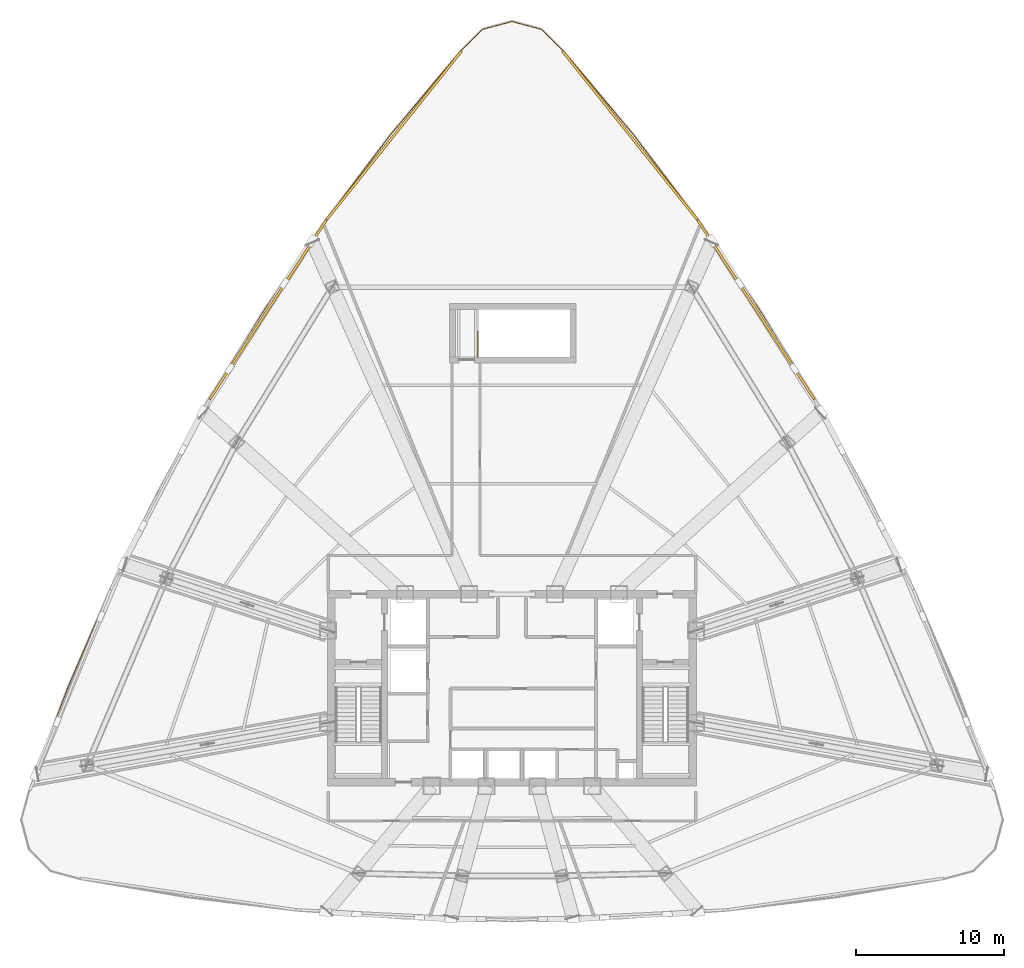
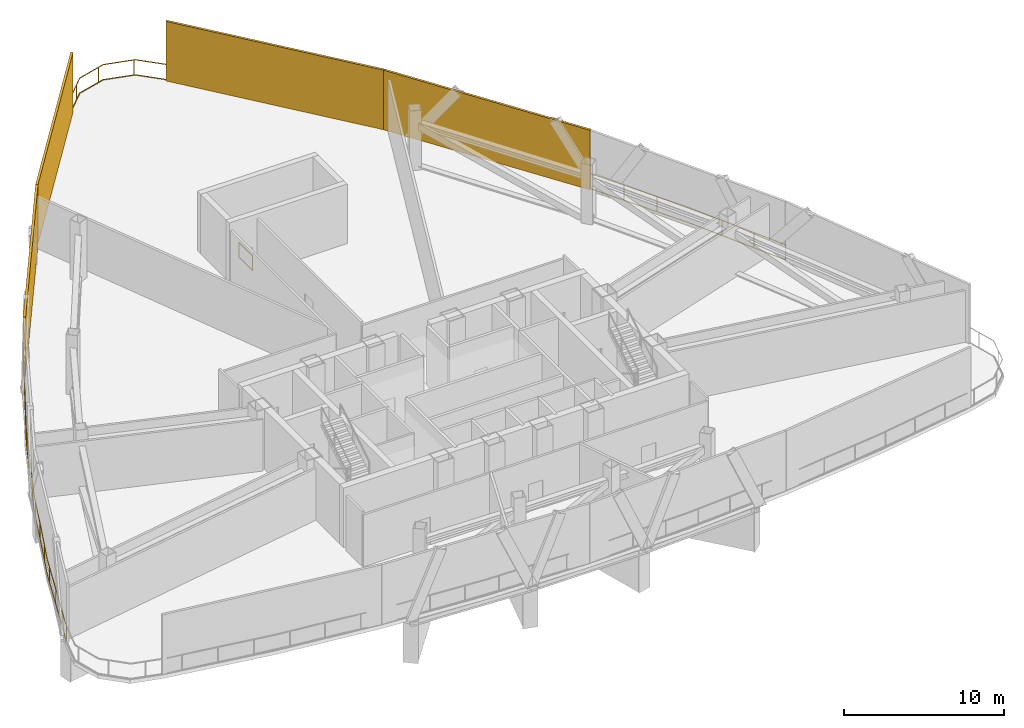
# One storey, part 13 of 13: 4 shading devices, 2 railings.
"""IFC4 building model written with IfcOpenShell, lengths in metres."""

from ifc_helpers import new_model, si_unit, direction, frame, origin, origin_2d, place, context, subcontext, project, spatial, rectangle, extrude, source, transform, mapped, material, layer, layer_set, type_object, element, save


model = new_model("IFC4")

# Units and contexts
model_context = context("Model", 3, precision=1e-05, world=origin(), true_north=direction((0.0, 1.0)))
body_context = subcontext(model_context, "Body", "Model", "MODEL_VIEW")
ifc_project = project(units=[si_unit("LENGTHUNIT", "METRE"), si_unit("AREAUNIT", "SQUARE_METRE"), si_unit("VOLUMEUNIT", "CUBIC_METRE"), si_unit("PLANEANGLEUNIT", "RADIAN"), si_unit("MASSUNIT", "GRAM", prefix="KILO"), si_unit("THERMODYNAMICTEMPERATUREUNIT", "KELVIN"), si_unit("POWERUNIT", "WATT")], contexts=[model_context])

# Site, building, storey
site_placement = place(None, origin())
site = spatial("IfcSite", under=ifc_project, at=site_placement, CompositionType="ELEMENT")
building_placement = place(site_placement, origin())
building = spatial("IfcBuilding", under=site, at=building_placement, Name="Yunzhuo Pagoda Commons", CompositionType="ELEMENT")
storey_placement = place(building_placement, frame((0.0, 0.0, 272.760009765625)))
storey = spatial("IfcBuildingStorey", under=building, at=storey_placement, Name="L68", CompositionType="ELEMENT", Elevation=272.760009765625)

# Railings
ifc_material = material(Name="Anodized aluminium 6063-T6", Category="aluminium")
railing_type_1 = type_object("IfcRailingType", Name="GR-ST3 North Well Guardrail 1155", PredefinedType="GUARDRAIL", material=ifc_material)
railing_1_placement = place(storey_placement, frame((45.699951171875, 56.199951171875, 0.0)))
element("IfcRailing", 1, at=railing_1_placement, inside=storey, type_object=railing_type_1, Name="L68 ST3 top well guard 1", PredefinedType="GUARDRAIL", context=body_context, shape_type="SweptSolid", body=[
    extrude(rectangle(XDim=0.048095703125, YDim=0.048095703125, at=origin_2d()), frame((0.0, 0.0, 1.1259765625), z_axis=(0.0, 1.0, 0.0), x_axis=(-1.0, 0.0, 0.0)), (0.0, 0.0, 1.0), 1.699951171875),
    extrude(rectangle(XDim=0.048095703125, YDim=0.048095703125, at=origin_2d()), frame((0.0, 0.0, 0.02392578125), z_axis=(0.0, 1.0, 0.0), x_axis=(-1.0, 0.0, 0.0)), (0.0, 0.0, 1.0), 1.699951171875),
    extrude(rectangle(XDim=0.0419921875, YDim=0.0419921875, at=origin_2d()), origin(), (0.0, 0.0, 1.0), 1.101806640625),
    extrude(rectangle(XDim=0.0419921875, YDim=0.0419921875, at=origin_2d()), frame((0.0, 1.699951171875, 0.0)), (0.0, 0.0, 1.0), 1.101806640625),
])
railing_type_2 = type_object("IfcRailingType", Name="RL-PRT1 Wind Portal & Refuge Guardrail 1200", PredefinedType="GUARDRAIL", material=ifc_material)
railing_2_placement = place(storey_placement, frame((75.08544921875, 40.5419921875, 0.0)))
element("IfcRailing", 2, at=railing_2_placement, inside=storey, type_object=railing_type_2, Name="L68 refuge perimeter guardrail B", PredefinedType="GUARDRAIL", context=body_context, shape_type="SweptSolid", body=[
    extrude(rectangle(XDim=0.048095703125, YDim=0.048095703125, at=origin_2d()), frame((0.0, 0.0, 1.17578125), z_axis=(-0.440536523339, 0.897734688872, 0.0), x_axis=(-0.897734688872, -0.440536523339, 0.0)), (0.0, 0.0, 1.0), 7.223876953125),
    extrude(rectangle(XDim=0.048095703125, YDim=0.048095703125, at=origin_2d()), frame((0.0, 0.0, 0.02392578125), z_axis=(-0.440536523339, 0.897734688872, 0.0), x_axis=(-0.897734688872, -0.440536523339, 0.0)), (0.0, 0.0, 1.0), 7.223876953125),
    extrude(rectangle(XDim=0.048095703125, YDim=0.048095703125, at=origin_2d()), frame((-3.182373046875, 6.485107421875, 1.17578125), z_axis=(-0.483266432387, 0.875473332162, 0.0), x_axis=(-0.875473332162, -0.483266432387, 0.0)), (0.0, 0.0, 1.0), 7.201416015625),
    extrude(rectangle(XDim=0.048095703125, YDim=0.048095703125, at=origin_2d()), frame((-3.182373046875, 6.485107421875, 0.02392578125), z_axis=(-0.483266432387, 0.875473332162, 0.0), x_axis=(-0.875473332162, -0.483266432387, 0.0)), (0.0, 0.0, 1.0), 7.201416015625),
    extrude(rectangle(XDim=0.048095703125, YDim=0.048095703125, at=origin_2d()), frame((-6.66259765625, 12.789794921875, 1.17578125), z_axis=(-0.524768754775, 0.851244826129, 0.0), x_axis=(-0.851244826129, -0.524768754775, 0.0)), (0.0, 0.0, 1.0), 7.201416015625),
    extrude(rectangle(XDim=0.048095703125, YDim=0.048095703125, at=origin_2d()), frame((-6.66259765625, 12.789794921875, 0.02392578125), z_axis=(-0.524768754775, 0.851244826129, 0.0), x_axis=(-0.851244826129, -0.524768754775, 0.0)), (0.0, 0.0, 1.0), 7.201416015625),
    extrude(rectangle(XDim=0.048095703125, YDim=0.048095703125, at=origin_2d()), frame((-10.441650390625, 18.919921875, 1.17578125), z_axis=(-0.565107914309, 0.825016996907, 0.0), x_axis=(-0.825016996907, -0.565107914309, 0.0)), (0.0, 0.0, 1.0), 7.223388671875),
    extrude(rectangle(XDim=0.048095703125, YDim=0.048095703125, at=origin_2d()), frame((-10.441650390625, 18.919921875, 0.02392578125), z_axis=(-0.565107914309, 0.825016996907, 0.0), x_axis=(-0.825016996907, -0.565107914309, 0.0)), (0.0, 0.0, 1.0), 7.223388671875),
    extrude(rectangle(XDim=0.048095703125, YDim=0.048095703125, at=origin_2d()), frame((-14.523681640625, 24.87939453125, 1.17578125), z_axis=(-0.60430924306, 0.796749859587, 0.0), x_axis=(-0.796749859587, -0.60430924306, 0.0)), (0.0, 0.0, 1.0), 7.264404296875),
    extrude(rectangle(XDim=0.048095703125, YDim=0.048095703125, at=origin_2d()), frame((-14.523681640625, 24.87939453125, 0.02392578125), z_axis=(-0.60430924306, 0.796749859587, 0.0), x_axis=(-0.796749859587, -0.60430924306, 0.0)), (0.0, 0.0, 1.0), 7.264404296875),
    extrude(rectangle(XDim=0.048095703125, YDim=0.048095703125, at=origin_2d()), frame((-18.91357421875, 30.667236328125, 1.17578125), z_axis=(-0.641868722298, 0.766814542987, 0.0), x_axis=(-0.766814542987, -0.641868722298, 0.0)), (0.0, 0.0, 1.0), 7.321533203125),
    extrude(rectangle(XDim=0.048095703125, YDim=0.048095703125, at=origin_2d()), frame((-18.91357421875, 30.667236328125, 0.02392578125), z_axis=(-0.641868722298, 0.766814542987, 0.0), x_axis=(-0.766814542987, -0.641868722298, 0.0)), (0.0, 0.0, 1.0), 7.321533203125),
    extrude(rectangle(XDim=0.048095703125, YDim=0.048095703125, at=origin_2d()), frame((-23.613037109375, 36.281494140625, 1.17578125), z_axis=(-0.708752575806, 0.705457147025, 0.0), x_axis=(-0.705457147025, -0.708752575806, 0.0)), (0.0, 0.0, 1.0), 2.074462890625),
    extrude(rectangle(XDim=0.048095703125, YDim=0.048095703125, at=origin_2d()), frame((-23.613037109375, 36.281494140625, 0.02392578125), z_axis=(-0.708752575806, 0.705457147025, 0.0), x_axis=(-0.705457147025, -0.708752575806, 0.0)), (0.0, 0.0, 1.0), 2.074462890625),
    extrude(rectangle(XDim=0.048095703125, YDim=0.048095703125, at=origin_2d()), frame((-25.083251953125, 37.744873046875, 1.17578125), z_axis=(-0.966056791128, 0.258329782093, 0.0), x_axis=(-0.258329782093, -0.966056791128, 0.0)), (0.0, 0.0, 1.0), 2.072509765625),
    extrude(rectangle(XDim=0.048095703125, YDim=0.048095703125, at=origin_2d()), frame((-25.083251953125, 37.744873046875, 0.02392578125), z_axis=(-0.966056791128, 0.258329782093, 0.0), x_axis=(-0.258329782093, -0.966056791128, 0.0)), (0.0, 0.0, 1.0), 2.072509765625),
    extrude(rectangle(XDim=0.048095703125, YDim=0.048095703125, at=origin_2d()), frame((-27.08544921875, 38.2802734375, 1.17578125), z_axis=(-0.966056791128, -0.258329782093, 0.0), x_axis=(0.258329782093, -0.966056791128, 0.0)), (0.0, 0.0, 1.0), 2.072509765625),
    extrude(rectangle(XDim=0.048095703125, YDim=0.048095703125, at=origin_2d()), frame((-27.08544921875, 38.2802734375, 0.02392578125), z_axis=(-0.966056791128, -0.258329782093, 0.0), x_axis=(0.258329782093, -0.966056791128, 0.0)), (0.0, 0.0, 1.0), 2.072509765625),
    extrude(rectangle(XDim=0.048095703125, YDim=0.048095703125, at=origin_2d()), frame((-29.087646484375, 37.744873046875, 1.17578125), z_axis=(-0.708752575806, -0.705457147025, 0.0), x_axis=(0.705457147025, -0.708752575806, 0.0)), (0.0, 0.0, 1.0), 2.074462890625),
    extrude(rectangle(XDim=0.048095703125, YDim=0.048095703125, at=origin_2d()), frame((-29.087646484375, 37.744873046875, 0.02392578125), z_axis=(-0.708752575806, -0.705457147025, 0.0), x_axis=(0.705457147025, -0.708752575806, 0.0)), (0.0, 0.0, 1.0), 2.074462890625),
    extrude(rectangle(XDim=0.048095703125, YDim=0.048095703125, at=origin_2d()), frame((-30.557861328125, 36.281494140625, 1.17578125), z_axis=(-0.641868722298, -0.766814542987, 0.0), x_axis=(0.766814542987, -0.641868722298, 0.0)), (0.0, 0.0, 1.0), 7.321533203125),
    extrude(rectangle(XDim=0.048095703125, YDim=0.048095703125, at=origin_2d()), frame((-30.557861328125, 36.281494140625, 0.02392578125), z_axis=(-0.641868722298, -0.766814542987, 0.0), x_axis=(0.766814542987, -0.641868722298, 0.0)), (0.0, 0.0, 1.0), 7.321533203125),
    extrude(rectangle(XDim=0.048095703125, YDim=0.048095703125, at=origin_2d()), frame((-35.25732421875, 30.667236328125, 1.17578125), z_axis=(-0.60430924306, -0.796749859587, 0.0), x_axis=(0.796749859587, -0.60430924306, 0.0)), (0.0, 0.0, 1.0), 7.264404296875),
    extrude(rectangle(XDim=0.048095703125, YDim=0.048095703125, at=origin_2d()), frame((-35.25732421875, 30.667236328125, 0.02392578125), z_axis=(-0.60430924306, -0.796749859587, 0.0), x_axis=(0.796749859587, -0.60430924306, 0.0)), (0.0, 0.0, 1.0), 7.264404296875),
    extrude(rectangle(XDim=0.048095703125, YDim=0.048095703125, at=origin_2d()), frame((-39.647216796875, 24.87939453125, 1.17578125), z_axis=(-0.565107914309, -0.825016996907, 0.0), x_axis=(0.825016996907, -0.565107914309, 0.0)), (0.0, 0.0, 1.0), 7.223388671875),
    extrude(rectangle(XDim=0.048095703125, YDim=0.048095703125, at=origin_2d()), frame((-39.647216796875, 24.87939453125, 0.02392578125), z_axis=(-0.565107914309, -0.825016996907, 0.0), x_axis=(0.825016996907, -0.565107914309, 0.0)), (0.0, 0.0, 1.0), 7.223388671875),
    extrude(rectangle(XDim=0.048095703125, YDim=0.048095703125, at=origin_2d()), frame((-43.729248046875, 18.919921875, 1.17578125), z_axis=(-0.524768754775, -0.851244826129, 0.0), x_axis=(0.851244826129, -0.524768754775, 0.0)), (0.0, 0.0, 1.0), 7.201416015625),
    extrude(rectangle(XDim=0.048095703125, YDim=0.048095703125, at=origin_2d()), frame((-43.729248046875, 18.919921875, 0.02392578125), z_axis=(-0.524768754775, -0.851244826129, 0.0), x_axis=(0.851244826129, -0.524768754775, 0.0)), (0.0, 0.0, 1.0), 7.201416015625),
    extrude(rectangle(XDim=0.048095703125, YDim=0.048095703125, at=origin_2d()), frame((-47.50830078125, 12.789794921875, 1.17578125), z_axis=(-0.483266432387, -0.875473332162, 0.0), x_axis=(0.875473332162, -0.483266432387, 0.0)), (0.0, 0.0, 1.0), 7.201416015625),
    extrude(rectangle(XDim=0.048095703125, YDim=0.048095703125, at=origin_2d()), frame((-47.50830078125, 12.789794921875, 0.02392578125), z_axis=(-0.483266432387, -0.875473332162, 0.0), x_axis=(0.875473332162, -0.483266432387, 0.0)), (0.0, 0.0, 1.0), 7.201416015625),
    extrude(rectangle(XDim=0.048095703125, YDim=0.048095703125, at=origin_2d()), frame((-50.988525390625, 6.485107421875, 1.17578125), z_axis=(-0.440536523339, -0.897734688872, 0.0), x_axis=(0.897734688872, -0.440536523339, 0.0)), (0.0, 0.0, 1.0), 7.223876953125),
    extrude(rectangle(XDim=0.048095703125, YDim=0.048095703125, at=origin_2d()), frame((-50.988525390625, 6.485107421875, 0.02392578125), z_axis=(-0.440536523339, -0.897734688872, 0.0), x_axis=(0.897734688872, -0.440536523339, 0.0)), (0.0, 0.0, 1.0), 7.223876953125),
    extrude(rectangle(XDim=0.048095703125, YDim=0.048095703125, at=origin_2d()), frame((-54.1708984375, 0.0, 1.17578125), z_axis=(-0.396647149188, -0.917971153709, 0.0), x_axis=(0.917971153709, -0.396647149188, 0.0)), (0.0, 0.0, 1.0), 7.264892578125),
    extrude(rectangle(XDim=0.048095703125, YDim=0.048095703125, at=origin_2d()), frame((-54.1708984375, 0.0, 0.02392578125), z_axis=(-0.396647149188, -0.917971153709, 0.0), x_axis=(0.917971153709, -0.396647149188, 0.0)), (0.0, 0.0, 1.0), 7.264892578125),
    extrude(rectangle(XDim=0.048095703125, YDim=0.048095703125, at=origin_2d()), frame((-57.052490234375, -6.6689453125, 1.17578125), z_axis=(-0.352076491564, -0.935971230374, 0.0), x_axis=(0.935971230374, -0.352076491564, 0.0)), (0.0, 0.0, 1.0), 7.241455078125),
    extrude(rectangle(XDim=0.048095703125, YDim=0.048095703125, at=origin_2d()), frame((-57.052490234375, -6.6689453125, 0.02392578125), z_axis=(-0.352076491564, -0.935971230374, 0.0), x_axis=(0.935971230374, -0.352076491564, 0.0)), (0.0, 0.0, 1.0), 7.241455078125),
    extrude(rectangle(XDim=0.0419921875, YDim=0.0419921875, at=origin_2d()), origin(), (0.0, 0.0, 1.0), 1.15185546875),
    extrude(rectangle(XDim=0.0419921875, YDim=0.0419921875, at=origin_2d()), frame((-1.057373046875, 2.154541015625, 0.0)), (0.0, 0.0, 1.0), 1.15185546875),
    extrude(rectangle(XDim=0.0419921875, YDim=0.0419921875, at=origin_2d()), frame((-2.114501953125, 4.30908203125, 0.0)), (0.0, 0.0, 1.0), 1.15185546875),
    extrude(rectangle(XDim=0.0419921875, YDim=0.0419921875, at=origin_2d()), frame((-4.33056640625, 8.5654296875, 0.0)), (0.0, 0.0, 1.0), 1.15185546875),
    extrude(rectangle(XDim=0.0419921875, YDim=0.0419921875, at=origin_2d()), frame((-5.490478515625, 10.66650390625, 0.0)), (0.0, 0.0, 1.0), 1.15185546875),
    extrude(rectangle(XDim=0.0419921875, YDim=0.0419921875, at=origin_2d()), frame((-7.90869140625, 14.811279296875, 0.0)), (0.0, 0.0, 1.0), 1.15185546875),
    extrude(rectangle(XDim=0.0419921875, YDim=0.0419921875, at=origin_2d()), frame((-9.168212890625, 16.854248046875, 0.0)), (0.0, 0.0, 1.0), 1.15185546875),
    extrude(rectangle(XDim=0.0419921875, YDim=0.0419921875, at=origin_2d()), frame((-11.78271484375, 20.8779296875, 0.0)), (0.0, 0.0, 1.0), 1.15185546875),
    extrude(rectangle(XDim=0.0419921875, YDim=0.0419921875, at=origin_2d()), frame((-13.13916015625, 22.85791015625, 0.0)), (0.0, 0.0, 1.0), 1.15185546875),
    extrude(rectangle(XDim=0.0419921875, YDim=0.0419921875, at=origin_2d()), frame((-15.943603515625, 26.751708984375, 0.0)), (0.0, 0.0, 1.0), 1.15185546875),
    extrude(rectangle(XDim=0.0419921875, YDim=0.0419921875, at=origin_2d()), frame((-17.39404296875, 28.663818359375, 0.0)), (0.0, 0.0, 1.0), 1.15185546875),
    extrude(rectangle(XDim=0.0419921875, YDim=0.0419921875, at=origin_2d()), frame((-20.380615234375, 32.419921875, 0.0)), (0.0, 0.0, 1.0), 1.15185546875),
    extrude(rectangle(XDim=0.0419921875, YDim=0.0419921875, at=origin_2d()), frame((-21.921142578125, 34.26025390625, 0.0)), (0.0, 0.0, 1.0), 1.15185546875),
    extrude(rectangle(XDim=0.0419921875, YDim=0.0419921875, at=origin_2d()), frame((-23.461669921875, 36.1005859375, 0.0)), (0.0, 0.0, 1.0), 1.15185546875),
    extrude(rectangle(XDim=0.0419921875, YDim=0.0419921875, at=origin_2d()), frame((-25.169921875, 37.76806640625, 0.0)), (0.0, 0.0, 1.0), 1.15185546875),
    extrude(rectangle(XDim=0.0419921875, YDim=0.0419921875, at=origin_2d()), frame((-27.48828125, 38.172607421875, 0.0)), (0.0, 0.0, 1.0), 1.15185546875),
    extrude(rectangle(XDim=0.0419921875, YDim=0.0419921875, at=origin_2d()), frame((-29.615234375, 37.2197265625, 0.0)), (0.0, 0.0, 1.0), 1.15185546875),
    extrude(rectangle(XDim=0.0419921875, YDim=0.0419921875, at=origin_2d()), frame((-31.244873046875, 35.4609375, 0.0)), (0.0, 0.0, 1.0), 1.15185546875),
    extrude(rectangle(XDim=0.0419921875, YDim=0.0419921875, at=origin_2d()), frame((-32.78515625, 33.62060546875, 0.0)), (0.0, 0.0, 1.0), 1.15185546875),
    extrude(rectangle(XDim=0.0419921875, YDim=0.0419921875, at=origin_2d()), frame((-34.32568359375, 31.7802734375, 0.0)), (0.0, 0.0, 1.0), 1.15185546875),
    extrude(rectangle(XDim=0.0419921875, YDim=0.0419921875, at=origin_2d()), frame((-35.83056640625, 29.911376953125, 0.0)), (0.0, 0.0, 1.0), 1.15185546875),
    extrude(rectangle(XDim=0.0419921875, YDim=0.0419921875, at=origin_2d()), frame((-37.281005859375, 27.999267578125, 0.0)), (0.0, 0.0, 1.0), 1.15185546875),
    extrude(rectangle(XDim=0.0419921875, YDim=0.0419921875, at=origin_2d()), frame((-38.731201171875, 26.0869140625, 0.0)), (0.0, 0.0, 1.0), 1.15185546875),
    extrude(rectangle(XDim=0.0419921875, YDim=0.0419921875, at=origin_2d()), frame((-40.14697265625, 24.14990234375, 0.0)), (0.0, 0.0, 1.0), 1.15185546875),
    extrude(rectangle(XDim=0.0419921875, YDim=0.0419921875, at=origin_2d()), frame((-41.503173828125, 22.169677734375, 0.0)), (0.0, 0.0, 1.0), 1.15185546875),
    extrude(rectangle(XDim=0.0419921875, YDim=0.0419921875, at=origin_2d()), frame((-42.859375, 20.189697265625, 0.0)), (0.0, 0.0, 1.0), 1.15185546875),
    extrude(rectangle(XDim=0.0419921875, YDim=0.0419921875, at=origin_2d()), frame((-44.180908203125, 18.18701171875, 0.0)), (0.0, 0.0, 1.0), 1.15185546875),
    extrude(rectangle(XDim=0.0419921875, YDim=0.0419921875, at=origin_2d()), frame((-45.4404296875, 16.14404296875, 0.0)), (0.0, 0.0, 1.0), 1.15185546875),
    extrude(rectangle(XDim=0.0419921875, YDim=0.0419921875, at=origin_2d()), frame((-46.699951171875, 14.10107421875, 0.0)), (0.0, 0.0, 1.0), 1.15185546875),
    extrude(rectangle(XDim=0.0419921875, YDim=0.0419921875, at=origin_2d()), frame((-47.923583984375, 12.037353515625, 0.0)), (0.0, 0.0, 1.0), 1.15185546875),
    extrude(rectangle(XDim=0.0419921875, YDim=0.0419921875, at=origin_2d()), frame((-49.08349609375, 9.936279296875, 0.0)), (0.0, 0.0, 1.0), 1.15185546875),
    extrude(rectangle(XDim=0.0419921875, YDim=0.0419921875, at=origin_2d()), frame((-50.243408203125, 7.8349609375, 0.0)), (0.0, 0.0, 1.0), 1.15185546875),
    extrude(rectangle(XDim=0.0419921875, YDim=0.0419921875, at=origin_2d()), frame((-51.366455078125, 5.71484375, 0.0)), (0.0, 0.0, 1.0), 1.15185546875),
    extrude(rectangle(XDim=0.0419921875, YDim=0.0419921875, at=origin_2d()), frame((-52.423828125, 3.560302734375, 0.0)), (0.0, 0.0, 1.0), 1.15185546875),
    extrude(rectangle(XDim=0.0419921875, YDim=0.0419921875, at=origin_2d()), frame((-53.481201171875, 1.40576171875, 0.0)), (0.0, 0.0, 1.0), 1.15185546875),
    extrude(rectangle(XDim=0.0419921875, YDim=0.0419921875, at=origin_2d()), frame((-54.501708984375, -0.765869140625, 0.0)), (0.0, 0.0, 1.0), 1.15185546875),
    extrude(rectangle(XDim=0.0419921875, YDim=0.0419921875, at=origin_2d()), frame((-55.45361328125, -2.968994140625, 0.0)), (0.0, 0.0, 1.0), 1.15185546875),
    extrude(rectangle(XDim=0.0419921875, YDim=0.0419921875, at=origin_2d()), frame((-56.40576171875, -5.172119140625, 0.0)), (0.0, 0.0, 1.0), 1.15185546875),
    extrude(rectangle(XDim=0.0419921875, YDim=0.0419921875, at=origin_2d()), frame((-57.3232421875, -7.388916015625, 0.0)), (0.0, 0.0, 1.0), 1.15185546875),
    extrude(rectangle(XDim=0.0419921875, YDim=0.0419921875, at=origin_2d()), frame((-58.168212890625, -9.63525390625, 0.0)), (0.0, 0.0, 1.0), 1.15185546875),
    extrude(rectangle(XDim=0.0419921875, YDim=0.0419921875, at=origin_2d()), frame((-59.013427734375, -11.881591796875, 0.0)), (0.0, 0.0, 1.0), 1.15185546875),
    extrude(rectangle(XDim=0.0419921875, YDim=0.0419921875, at=origin_2d()), frame((-59.60205078125, -13.44677734375, 0.0)), (0.0, 0.0, 1.0), 1.15185546875),
])

# Shading devices
ifc_layer = layer(ifc_material, 0.159912109375)
ifc_layer_set = layer_set([ifc_layer], Name="Anodized aluminium 6063-T6")
shading_device_type = type_object("IfcShadingDeviceType", Name="SH-SCR1 Stormproof Refuge Louvre Screen", PredefinedType="JALOUSIE", material=ifc_layer_set)
shared_shape_1 = source(origin(), body_context, "Body", "SweptSolid", [
    extrude(rectangle(XDim=14.5732421875, YDim=0.159912109375, at=origin_2d()), origin(), (0.0, 0.0, 1.0), 4.5400390625),
])
for number, where, z_axis, x_axis, name in (
    (3, (55.95166015625, 71.141357421875, 0.0), (0.0, 0.0, 1.0), (-0.624520471688, 0.781008438138, 0.0), "L68 stormproof refuge louvre screen F2.4"),
    (4, (40.04833984375, 71.141357421875, 0.0), (0.0, 0.0, 1.0), (-0.624520471688, -0.781008438138, 0.0), "L68 stormproof refuge louvre screen F3.1"),
):
    element("IfcShadingDevice", number, at=place(storey_placement, frame(where, z_axis=z_axis, x_axis=x_axis)), inside=storey, type_object=shading_device_type, Name=name, PredefinedType="JALOUSIE", context=body_context, shape_type="MappedRepresentation", body=[
        mapped(shared_shape_1, transform((0.0, 0.0, 0.0), scale=1.0)),
    ])
shared_shape_2 = source(origin(), body_context, "Body", "SweptSolid", [
    extrude(rectangle(XDim=14.434814453125, YDim=0.159912109375, at=origin_2d()), origin(), (0.0, 0.0, 1.0), 4.5400390625),
])
for number, where, z_axis, x_axis, name in (
    (5, (64.45849609375, 59.380126953125, 0.0), (0.0, 0.0, 1.0), (-0.545838756973, 0.837890238269, 0.0), "L68 stormproof refuge louvre screen F2.3"),
    (6, (31.54150390625, 59.380126953125, 0.0), (0.0, 0.0, 1.0), (-0.545838756973, -0.837890238269, 0.0), "L68 stormproof refuge louvre screen F3.2"),
):
    element("IfcShadingDevice", number, at=place(storey_placement, frame(where, z_axis=z_axis, x_axis=x_axis)), inside=storey, type_object=shading_device_type, Name=name, PredefinedType="JALOUSIE", context=body_context, shape_type="MappedRepresentation", body=[
        mapped(shared_shape_2, transform((0.0, 0.0, 0.0), scale=1.0)),
    ])

save(model, "model.ifc")
